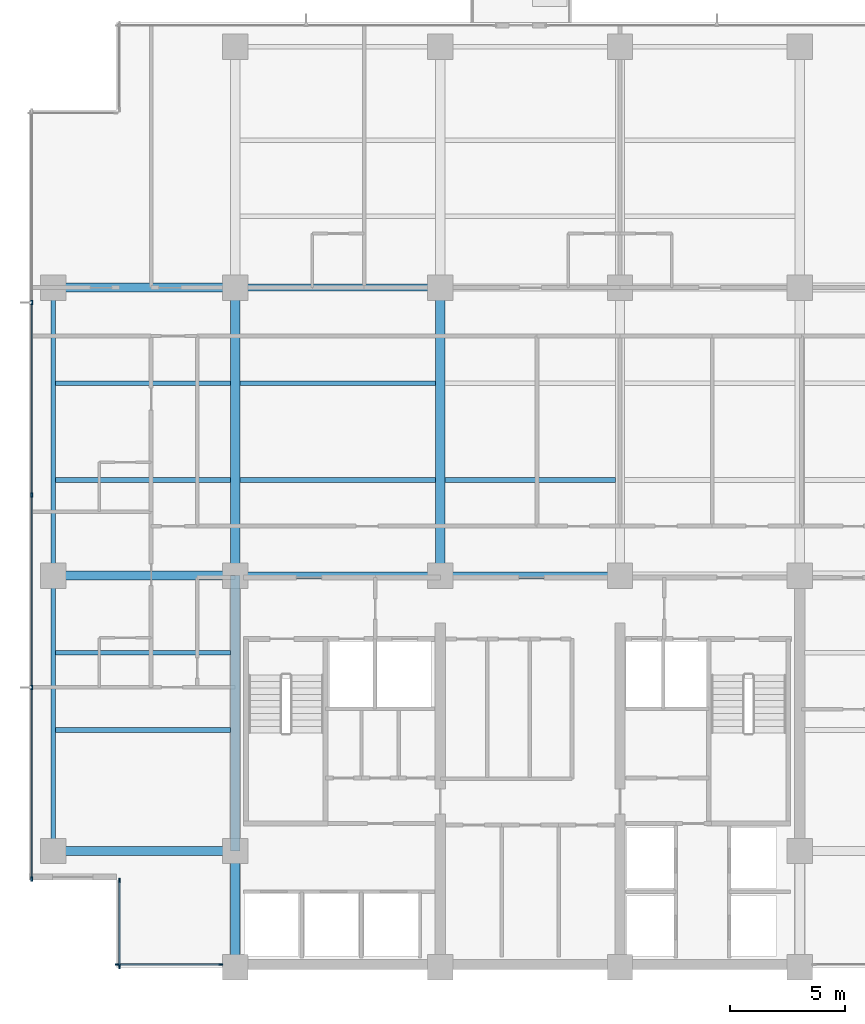
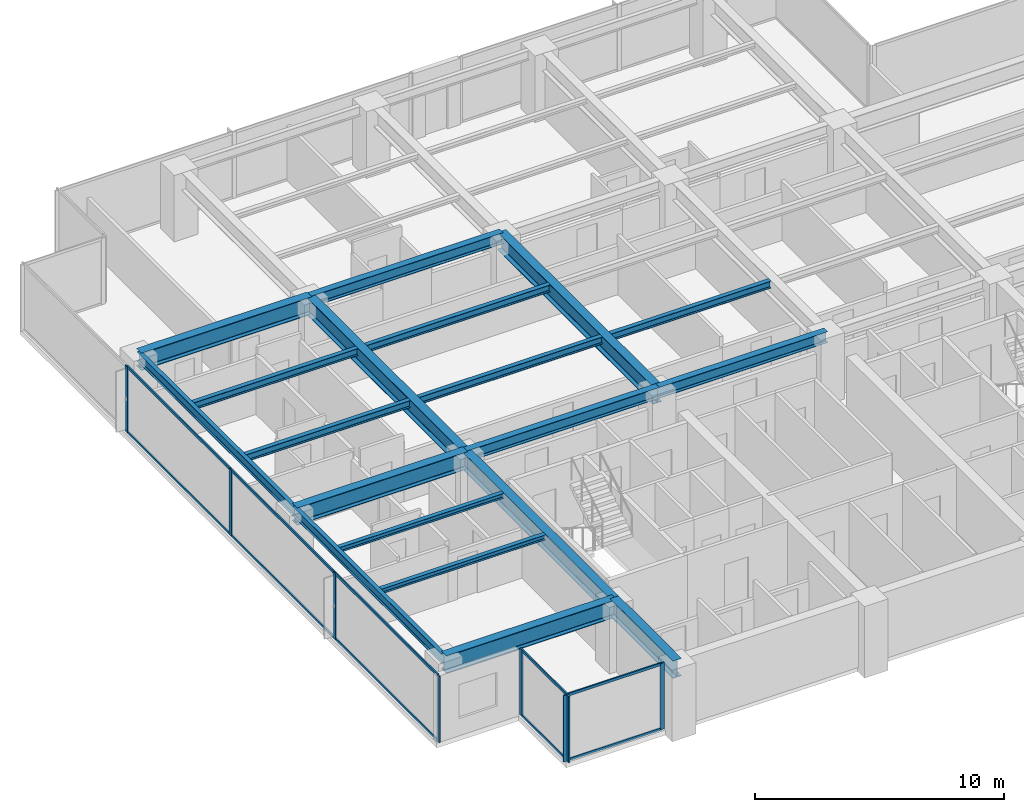
# One storey, part 2 of 15: 19 beams, 18 members, 3 elements without a shape of their own.
"""IFC4 building model written with IfcOpenShell, lengths in metres."""

from ifc_helpers import new_model, si_unit, direction, frame, origin, origin_2d, place, context, subcontext, project, spatial, rectangle, i_section, extrude, material, layer, layer_set, material_profile, profile_set, type_object, element, aggregate, save


model = new_model("IFC4")

# Units and contexts
model_context = context("Model", 3, precision=1e-05, world=origin(), true_north=direction((0.0, 1.0)))
body_context = subcontext(model_context, "Body", "Model", "MODEL_VIEW")
ifc_project = project(units=[si_unit("LENGTHUNIT", "METRE"), si_unit("AREAUNIT", "SQUARE_METRE"), si_unit("VOLUMEUNIT", "CUBIC_METRE"), si_unit("PLANEANGLEUNIT", "RADIAN"), si_unit("MASSUNIT", "GRAM", prefix="KILO")], contexts=[model_context])

# Site, building, storey
site_placement = place(None, origin())
site = spatial("IfcSite", under=ifc_project, at=site_placement, CompositionType="ELEMENT")
building_placement = place(site_placement, origin())
building = spatial("IfcBuilding", under=site, at=building_placement, Name="Qalmaran Belvedere Hotel", CompositionType="ELEMENT")
storey_placement = place(building_placement, frame((0.0, 0.0, 159.60009765625)))
storey = spatial("IfcBuildingStorey", under=building, at=storey_placement, Name="L40", CompositionType="ELEMENT", Elevation=159.60009765625)

# Beams
ifc_material_1 = material(Name="Steel S355JR", Category="steel")
ifc_material_profile_1 = material_profile(ifc_material_1, i_section(OverallWidth=0.201904296875, OverallDepth=0.2470703125, WebThickness=0.00732421875, FlangeThickness=0.010986328125, FilletRadius=0.011962890625, at=origin_2d()), Name="W250X49")
ifc_profile_set_1 = profile_set([ifc_material_profile_1], Name="Steel S355JR")
beam_type_1 = type_object("IfcBeamType", Name="BM-JST-W250X49", PredefinedType="JOIST", material=ifc_profile_set_1)
for number, where, z_axis, x_axis, name in (
    (1, (12.493896484375, 13.800048828125, 3.12646484375), (1.0, 0.0, 0.0), (0.0, 1.0, 0.0), "L40 West Wing Joist 038"),
    (2, (12.493896484375, 17.14990234375, 3.12646484375), (1.0, 0.0, 0.0), (0.0, 1.0, 0.0), "L40 West Wing Joist 040"),
):
    element("IfcBeam", number, at=place(storey_placement, frame(where, z_axis=z_axis, x_axis=x_axis)), inside=storey, type_object=beam_type_1, Name=name, PredefinedType="JOIST", context=body_context, shape_type="SweptSolid", body=[
        extrude(i_section(OverallWidth=0.201904296875, OverallDepth=0.2470703125, WebThickness=0.00732421875, FlangeThickness=0.010986328125, FilletRadius=0.011962890625, at=origin_2d()), origin(), (0.0, 0.0, 1.0), 7.608154296875),
    ])
ifc_material_profile_2 = material_profile(ifc_material_1, i_section(OverallWidth=0.39990234375, OverallDepth=0.85498046875, WebThickness=0.018310546875, FlangeThickness=0.029296875, FilletRadius=0.02392578125, at=origin_2d()), Name="W840X299")
ifc_profile_set_2 = profile_set([ifc_material_profile_2], Name="Steel S355JR")
beam_type_2 = type_object("IfcBeamType", Name="BM-PG3-W840X299", PredefinedType="USERDEFINED", material=ifc_profile_set_2)
for number, where, z_axis, x_axis, name in (
    (3, (20.300048828125, 20.5, 2.822509765625), (0.0, 1.0, 0.0), (-1.0, 0.0, 0.0), "L40 Mid-Plate N-S Girder 14"),
    (4, (29.199951171875, 20.5, 2.822509765625), (0.0, 1.0, 0.0), (-1.0, 0.0, 0.0), "L40 Mid-Plate N-S Girder 16"),
):
    element("IfcBeam", number, at=place(storey_placement, frame(where, z_axis=z_axis, x_axis=x_axis)), inside=storey, type_object=beam_type_2, Name=name, ObjectType="GIRDER", PredefinedType="USERDEFINED", context=body_context, shape_type="SweptSolid", body=[
        extrude(i_section(OverallWidth=0.39990234375, OverallDepth=0.85498046875, WebThickness=0.018310546875, FlangeThickness=0.029296875, FilletRadius=0.02392578125, at=origin_2d()), origin(), (0.0, 0.0, 1.0), 12.5),
    ])
for number, where, z_axis, x_axis, name in (
    (5, (12.39990234375, 8.550048828125, 2.822509765625), (1.0, 0.0, 0.0), (0.0, 1.0, 0.0), "L40 West Wing Girder 22"),
    (6, (12.39990234375, 20.5, 2.822509765625), (1.0, 0.0, 0.0), (0.0, 1.0, 0.0), "L40 West Wing Girder 23"),
    (7, (12.39990234375, 33.0, 2.822509765625), (1.0, 0.0, 0.0), (0.0, 1.0, 0.0), "L40 West Wing Girder 24"),
):
    element("IfcBeam", number, at=place(storey_placement, frame(where, z_axis=z_axis, x_axis=x_axis)), inside=storey, type_object=beam_type_2, Name=name, ObjectType="GIRDER", PredefinedType="USERDEFINED", context=body_context, shape_type="SweptSolid", body=[
        extrude(i_section(OverallWidth=0.39990234375, OverallDepth=0.85498046875, WebThickness=0.018310546875, FlangeThickness=0.029296875, FilletRadius=0.02392578125, at=origin_2d()), origin(), (0.0, 0.0, 1.0), 7.900146484375),
    ])
beam_1_placement = place(storey_placement, frame((20.300048828125, 3.5, 2.822509765625), z_axis=(0.0, 1.0, 0.0), x_axis=(-1.0, 0.0, 0.0)))
element("IfcBeam", 8, at=beam_1_placement, inside=storey, type_object=beam_type_2, Name="L40 West Core Edge Girder A", ObjectType="GIRDER", PredefinedType="USERDEFINED", context=body_context, shape_type="SweptSolid", body=[
    extrude(i_section(OverallWidth=0.39990234375, OverallDepth=0.85498046875, WebThickness=0.018310546875, FlangeThickness=0.029296875, FilletRadius=0.02392578125, at=origin_2d()), origin(), (0.0, 0.0, 1.0), 5.050048828125),
])
beam_2_placement = place(storey_placement, frame((20.300048828125, 8.550048828125, 2.822509765625), z_axis=(0.0, 1.0, 0.0), x_axis=(-1.0, 0.0, 0.0)))
element("IfcBeam", 9, at=beam_2_placement, inside=storey, type_object=beam_type_2, Name="L40 West Core Edge Girder B", ObjectType="GIRDER", PredefinedType="USERDEFINED", context=body_context, shape_type="SweptSolid", body=[
    extrude(i_section(OverallWidth=0.39990234375, OverallDepth=0.85498046875, WebThickness=0.018310546875, FlangeThickness=0.029296875, FilletRadius=0.02392578125, at=origin_2d()), origin(), (0.0, 0.0, 1.0), 11.949951171875),
])
ifc_material_profile_3 = material_profile(ifc_material_1, i_section(OverallWidth=0.205078125, OverallDepth=0.35400390625, WebThickness=0.009521484375, FlangeThickness=0.016845703125, FilletRadius=0.014892578125, at=origin_2d()), Name="W360X79")
ifc_profile_set_3 = profile_set([ifc_material_profile_3], Name="Steel S355JR")
beam_type_3 = type_object("IfcBeamType", Name="BM-SB3-W360X79", PredefinedType="BEAM", material=ifc_profile_set_3)
beam_3_placement = place(storey_placement, frame((12.493896484375, 24.64990234375, 3.072998046875), z_axis=(1.0, 0.0, 0.0), x_axis=(0.0, 1.0, 0.0)))
element("IfcBeam", 10, at=beam_3_placement, inside=storey, type_object=beam_type_3, Name="L40 West Secondary Beam 028", PredefinedType="BEAM", context=body_context, shape_type="SweptSolid", body=[
    extrude(i_section(OverallWidth=0.205078125, OverallDepth=0.35400390625, WebThickness=0.009521484375, FlangeThickness=0.016845703125, FilletRadius=0.014892578125, at=origin_2d()), origin(), (0.0, 0.0, 1.0), 7.608154296875),
])
beam_4_placement = place(storey_placement, frame((20.498046875, 24.64990234375, 3.072998046875), z_axis=(1.0, 0.0, 0.0), x_axis=(0.0, 1.0, 0.0)))
element("IfcBeam", 11, at=beam_4_placement, inside=storey, type_object=beam_type_3, Name="L40 Secondary Floor Beam 029", PredefinedType="BEAM", context=body_context, shape_type="SweptSolid", body=[
    extrude(i_section(OverallWidth=0.205078125, OverallDepth=0.35400390625, WebThickness=0.009521484375, FlangeThickness=0.016845703125, FilletRadius=0.014892578125, at=origin_2d()), origin(), (0.0, 0.0, 1.0), 8.50390625),
])
beam_5_placement = place(storey_placement, frame((29.39794921875, 24.64990234375, 3.072998046875), z_axis=(1.0, 0.0, 0.0), x_axis=(0.0, 1.0, 0.0)))
element("IfcBeam", 12, at=beam_5_placement, inside=storey, type_object=beam_type_3, Name="L40 Secondary Floor Beam 030", PredefinedType="BEAM", context=body_context, shape_type="SweptSolid", body=[
    extrude(i_section(OverallWidth=0.205078125, OverallDepth=0.35400390625, WebThickness=0.009521484375, FlangeThickness=0.016845703125, FilletRadius=0.014892578125, at=origin_2d()), origin(), (0.0, 0.0, 1.0), 7.404052734375),
])
beam_6_placement = place(storey_placement, frame((12.493896484375, 28.85009765625, 3.072998046875), z_axis=(1.0, 0.0, 0.0), x_axis=(0.0, 1.0, 0.0)))
element("IfcBeam", 13, at=beam_6_placement, inside=storey, type_object=beam_type_3, Name="L40 West Secondary Beam 033", PredefinedType="BEAM", context=body_context, shape_type="SweptSolid", body=[
    extrude(i_section(OverallWidth=0.205078125, OverallDepth=0.35400390625, WebThickness=0.009521484375, FlangeThickness=0.016845703125, FilletRadius=0.014892578125, at=origin_2d()), origin(), (0.0, 0.0, 1.0), 7.608154296875),
])
beam_7_placement = place(storey_placement, frame((20.498046875, 28.85009765625, 3.072998046875), z_axis=(1.0, 0.0, 0.0), x_axis=(0.0, 1.0, 0.0)))
element("IfcBeam", 14, at=beam_7_placement, inside=storey, type_object=beam_type_3, Name="L40 Secondary Floor Beam 034", PredefinedType="BEAM", context=body_context, shape_type="SweptSolid", body=[
    extrude(i_section(OverallWidth=0.205078125, OverallDepth=0.35400390625, WebThickness=0.009521484375, FlangeThickness=0.016845703125, FilletRadius=0.014892578125, at=origin_2d()), origin(), (0.0, 0.0, 1.0), 8.50390625),
])
ifc_material_profile_4 = material_profile(ifc_material_1, i_section(OverallWidth=0.19189453125, OverallDepth=0.462890625, WebThickness=0.010498046875, FlangeThickness=0.017578125, FilletRadius=0.01611328125, at=origin_2d()), Name="W460X89")
ifc_profile_set_4 = profile_set([ifc_material_profile_4], Name="Steel S355JR")
beam_type_4 = type_object("IfcBeamType", Name="BM-SP2-W460X89", PredefinedType="SPANDREL", material=ifc_profile_set_4)
beam_8_placement = place(storey_placement, frame((12.39990234375, 8.550048828125, 3.018310546875), z_axis=(0.0, 1.0, 0.0), x_axis=(-1.0, 0.0, 0.0)))
element("IfcBeam", 15, at=beam_8_placement, inside=storey, type_object=beam_type_4, Name="L40 Perimeter Spandrel 01", PredefinedType="SPANDREL", context=body_context, shape_type="SweptSolid", body=[
    extrude(i_section(OverallWidth=0.19189453125, OverallDepth=0.462890625, WebThickness=0.010498046875, FlangeThickness=0.017578125, FilletRadius=0.01611328125, at=origin_2d()), origin(), (0.0, 0.0, 1.0), 11.949951171875),
])
beam_9_placement = place(storey_placement, frame((12.39990234375, 20.5, 3.018310546875), z_axis=(0.0, 1.0, 0.0), x_axis=(-1.0, 0.0, 0.0)))
element("IfcBeam", 16, at=beam_9_placement, inside=storey, type_object=beam_type_4, Name="L40 Perimeter Spandrel 02", PredefinedType="SPANDREL", context=body_context, shape_type="SweptSolid", body=[
    extrude(i_section(OverallWidth=0.19189453125, OverallDepth=0.462890625, WebThickness=0.010498046875, FlangeThickness=0.017578125, FilletRadius=0.01611328125, at=origin_2d()), origin(), (0.0, 0.0, 1.0), 12.5),
])
ifc_material_profile_5 = material_profile(ifc_material_1, i_section(OverallWidth=0.31201171875, OverallDepth=0.54296875, WebThickness=0.0126953125, FlangeThickness=0.020263671875, FilletRadius=0.01806640625, at=origin_2d()), Name="W530X150")
ifc_profile_set_5 = profile_set([ifc_material_profile_5], Name="Steel S355JR")
beam_type_5 = type_object("IfcBeamType", Name="BM-Z3-W530X150", PredefinedType="USERDEFINED", material=ifc_profile_set_5)
beam_10_placement = place(storey_placement, frame((20.300048828125, 20.5, 2.978515625), z_axis=(1.0, 0.0, 0.0), x_axis=(0.0, 1.0, 0.0)))
element("IfcBeam", 17, at=beam_10_placement, inside=storey, type_object=beam_type_5, Name="L40 Interior E-W Girder 08", ObjectType="GIRDER", PredefinedType="USERDEFINED", context=body_context, shape_type="SweptSolid", body=[
    extrude(i_section(OverallWidth=0.31201171875, OverallDepth=0.54296875, WebThickness=0.0126953125, FlangeThickness=0.020263671875, FilletRadius=0.01806640625, at=origin_2d()), origin(), (0.0, 0.0, 1.0), 8.89990234375),
])
beam_11_placement = place(storey_placement, frame((29.199951171875, 20.5, 2.978515625), z_axis=(1.0, 0.0, 0.0), x_axis=(0.0, 1.0, 0.0)))
element("IfcBeam", 18, at=beam_11_placement, inside=storey, type_object=beam_type_5, Name="L40 Interior E-W Girder 09", ObjectType="GIRDER", PredefinedType="USERDEFINED", context=body_context, shape_type="SweptSolid", body=[
    extrude(i_section(OverallWidth=0.31201171875, OverallDepth=0.54296875, WebThickness=0.0126953125, FlangeThickness=0.020263671875, FilletRadius=0.01806640625, at=origin_2d()), origin(), (0.0, 0.0, 1.0), 7.800048828125),
])
beam_12_placement = place(storey_placement, frame((20.300048828125, 33.0, 2.978515625), z_axis=(1.0, 0.0, 0.0), x_axis=(0.0, 1.0, 0.0)))
element("IfcBeam", 19, at=beam_12_placement, inside=storey, type_object=beam_type_5, Name="L40 Interior E-W Girder 11", ObjectType="GIRDER", PredefinedType="USERDEFINED", context=body_context, shape_type="SweptSolid", body=[
    extrude(i_section(OverallWidth=0.31201171875, OverallDepth=0.54296875, WebThickness=0.0126953125, FlangeThickness=0.020263671875, FilletRadius=0.01806640625, at=origin_2d()), origin(), (0.0, 0.0, 1.0), 8.89990234375),
])

# Curtain wall, members
ifc_material_2 = material(Name="Anodised Bronze Aluminium", Category="aluminium")
ifc_layer = layer(ifc_material_2, 0.195068359375, Name="Anodised Bronze Aluminium")
ifc_layer_set = layer_set([ifc_layer], Name="Anodised Bronze Aluminium")
curtain_wall_type = type_object("IfcCurtainWallType", Name="CW4-TOWER-HIGHMID", PredefinedType="NOTDEFINED", material=ifc_layer_set)
curtain_wall_1_placement = place(storey_placement, origin())
curtain_wall_1 = element("IfcCurtainWall", 20, at=curtain_wall_1_placement, inside=storey, type_object=curtain_wall_type, Name="L40 Curtain Wall CW4", PredefinedType="NOTDEFINED")
ifc_material_profile_6 = material_profile(ifc_material_2, rectangle(XDim=0.070068359375, YDim=0.18994140625, at=origin_2d()), Name="CWM70X190")
ifc_profile_set_6 = profile_set([ifc_material_profile_6], Name="Anodised Bronze Aluminium")
member_type_1 = type_object("IfcMemberType", Name="CWM-70X190", PredefinedType="MULLION", material=ifc_profile_set_6)
member_1_placement = place(storey_placement, frame((15.18505859375, 3.6201171875, 0.0), z_axis=(0.0, 0.0, 1.0), x_axis=(0.0, 1.0, 0.0)))
member_1 = element("IfcMember", 21, at=member_1_placement, type_object=member_type_1, Name="CW4 mullion 1", PredefinedType="MULLION", context=body_context, shape_type="SweptSolid", body=[
    extrude(rectangle(XDim=0.070068359375, YDim=0.18994140625, at=origin_2d()), origin(), (0.0, 0.0, 1.0), 3.25),
])
member_2_placement = place(storey_placement, frame((19.675048828125, 3.6201171875, 0.0), z_axis=(0.0, 0.0, 1.0), x_axis=(0.0, 1.0, 0.0)))
member_2 = element("IfcMember", 22, at=member_2_placement, type_object=member_type_1, Name="CW4 mullion 2", PredefinedType="MULLION", context=body_context, shape_type="SweptSolid", body=[
    extrude(rectangle(XDim=0.070068359375, YDim=0.18994140625, at=origin_2d()), origin(), (0.0, 0.0, 1.0), 3.25),
])

curtain_wall_2_placement = place(storey_placement, origin())
curtain_wall_2 = element("IfcCurtainWall", 23, at=curtain_wall_2_placement, inside=storey, type_object=curtain_wall_type, Name="L40 Curtain Wall CW4", PredefinedType="NOTDEFINED")
member_3_placement = place(storey_placement, frame((11.469970703125, 32.35009765625, 0.0), z_axis=(0.0, 0.0, 1.0), x_axis=(1.0, 0.0, 0.0)))
member_3 = element("IfcMember", 24, at=member_3_placement, type_object=member_type_1, Name="CW4 mullion 2", PredefinedType="MULLION", context=body_context, shape_type="SweptSolid", body=[
    extrude(rectangle(XDim=0.070068359375, YDim=0.18994140625, at=origin_2d()), origin(), (0.0, 0.0, 1.0), 3.25),
])
member_4_placement = place(storey_placement, frame((11.469970703125, 24.0, 0.0), z_axis=(0.0, 0.0, 1.0), x_axis=(1.0, 0.0, 0.0)))
member_4 = element("IfcMember", 25, at=member_4_placement, type_object=member_type_1, Name="CW4 mullion 3", PredefinedType="MULLION", context=body_context, shape_type="SweptSolid", body=[
    extrude(rectangle(XDim=0.070068359375, YDim=0.18994140625, at=origin_2d()), origin(), (0.0, 0.0, 1.0), 3.25),
])
member_5_placement = place(storey_placement, frame((11.469970703125, 15.64990234375, 0.0), z_axis=(0.0, 0.0, 1.0), x_axis=(1.0, 0.0, 0.0)))
member_5 = element("IfcMember", 26, at=member_5_placement, type_object=member_type_1, Name="CW4 mullion 4", PredefinedType="MULLION", context=body_context, shape_type="SweptSolid", body=[
    extrude(rectangle(XDim=0.070068359375, YDim=0.18994140625, at=origin_2d()), origin(), (0.0, 0.0, 1.0), 3.25),
])
member_6_placement = place(storey_placement, frame((11.469970703125, 7.3349609375, 0.0), z_axis=(0.0, 0.0, 1.0), x_axis=(1.0, 0.0, 0.0)))
member_6 = element("IfcMember", 27, at=member_6_placement, type_object=member_type_1, Name="CW4 mullion 5", PredefinedType="MULLION", context=body_context, shape_type="SweptSolid", body=[
    extrude(rectangle(XDim=0.070068359375, YDim=0.18994140625, at=origin_2d()), origin(), (0.0, 0.0, 1.0), 3.25),
])

curtain_wall_3_placement = place(storey_placement, origin())
curtain_wall_3 = element("IfcCurtainWall", 28, at=curtain_wall_3_placement, inside=storey, type_object=curtain_wall_type, Name="L40 Curtain Wall CW4", PredefinedType="NOTDEFINED")
member_7_placement = place(storey_placement, frame((15.27001953125, 7.264892578125, 0.0), z_axis=(0.0, 0.0, 1.0), x_axis=(1.0, 0.0, 0.0)))
member_7 = element("IfcMember", 29, at=member_7_placement, type_object=member_type_1, Name="CW4 mullion 1", PredefinedType="MULLION", context=body_context, shape_type="SweptSolid", body=[
    extrude(rectangle(XDim=0.070068359375, YDim=0.18994140625, at=origin_2d()), origin(), (0.0, 0.0, 1.0), 3.25),
])
member_8_placement = place(storey_placement, frame((15.27001953125, 3.534912109375, 0.0), z_axis=(0.0, 0.0, 1.0), x_axis=(1.0, 0.0, 0.0)))
member_8 = element("IfcMember", 30, at=member_8_placement, type_object=member_type_1, Name="CW4 mullion 2", PredefinedType="MULLION", context=body_context, shape_type="SweptSolid", body=[
    extrude(rectangle(XDim=0.070068359375, YDim=0.18994140625, at=origin_2d()), origin(), (0.0, 0.0, 1.0), 3.25),
])

# Member
ifc_material_profile_7 = material_profile(ifc_material_2, rectangle(XDim=0.06494140625, YDim=0.1298828125, at=origin_2d()), Name="CWT65X130")
ifc_profile_set_7 = profile_set([ifc_material_profile_7], Name="Anodised Bronze Aluminium")
member_type_2 = type_object("IfcMemberType", Name="CWT-65X130", PredefinedType="USERDEFINED", material=ifc_profile_set_7)
member_9_placement = place(storey_placement, frame((15.219970703125, 3.6201171875, 0.032470703125), z_axis=(1.0, 0.0, 0.0), x_axis=(0.0, 1.0, 0.0)))
member_9 = element("IfcMember", 31, at=member_9_placement, type_object=member_type_2, Name="CW4 transom 1.1", ObjectType="TRANSOM", PredefinedType="USERDEFINED", context=body_context, shape_type="SweptSolid", body=[
    extrude(rectangle(XDim=0.06494140625, YDim=0.1298828125, at=origin_2d()), origin(), (0.0, 0.0, 1.0), 4.419921875),
])

member_10_placement = place(storey_placement, frame((15.219970703125, 3.6201171875, 3.21728515625), z_axis=(1.0, 0.0, 0.0), x_axis=(0.0, 1.0, 0.0)))
member_10 = element("IfcMember", 32, at=member_10_placement, type_object=member_type_2, Name="CW4 transom 1.2", ObjectType="TRANSOM", PredefinedType="USERDEFINED", context=body_context, shape_type="SweptSolid", body=[
    extrude(rectangle(XDim=0.06494140625, YDim=0.1298828125, at=origin_2d()), origin(), (0.0, 0.0, 1.0), 4.419921875),
])

aggregate(curtain_wall_1, [member_1, member_2, member_9, member_10])

member_11_placement = place(storey_placement, frame((11.469970703125, 32.31494140625, 0.032470703125), z_axis=(0.0, -1.0, 0.0), x_axis=(1.0, 0.0, 0.0)))
member_11 = element("IfcMember", 33, at=member_11_placement, type_object=member_type_2, Name="CW4 transom 2.1", ObjectType="TRANSOM", PredefinedType="USERDEFINED", context=body_context, shape_type="SweptSolid", body=[
    extrude(rectangle(XDim=0.06494140625, YDim=0.1298828125, at=origin_2d()), origin(), (0.0, 0.0, 1.0), 8.280029296875),
])

member_12_placement = place(storey_placement, frame((11.469970703125, 32.31494140625, 3.21728515625), z_axis=(0.0, -1.0, 0.0), x_axis=(1.0, 0.0, 0.0)))
member_12 = element("IfcMember", 34, at=member_12_placement, type_object=member_type_2, Name="CW4 transom 2.2", ObjectType="TRANSOM", PredefinedType="USERDEFINED", context=body_context, shape_type="SweptSolid", body=[
    extrude(rectangle(XDim=0.06494140625, YDim=0.1298828125, at=origin_2d()), origin(), (0.0, 0.0, 1.0), 8.280029296875),
])

member_13_placement = place(storey_placement, frame((11.469970703125, 23.965087890625, 0.032470703125), z_axis=(0.0, -1.0, 0.0), x_axis=(1.0, 0.0, 0.0)))
member_13 = element("IfcMember", 35, at=member_13_placement, type_object=member_type_2, Name="CW4 transom 3.1", ObjectType="TRANSOM", PredefinedType="USERDEFINED", context=body_context, shape_type="SweptSolid", body=[
    extrude(rectangle(XDim=0.06494140625, YDim=0.1298828125, at=origin_2d()), origin(), (0.0, 0.0, 1.0), 8.280029296875),
])

member_14_placement = place(storey_placement, frame((11.469970703125, 23.965087890625, 3.21728515625), z_axis=(0.0, -1.0, 0.0), x_axis=(1.0, 0.0, 0.0)))
member_14 = element("IfcMember", 36, at=member_14_placement, type_object=member_type_2, Name="CW4 transom 3.2", ObjectType="TRANSOM", PredefinedType="USERDEFINED", context=body_context, shape_type="SweptSolid", body=[
    extrude(rectangle(XDim=0.06494140625, YDim=0.1298828125, at=origin_2d()), origin(), (0.0, 0.0, 1.0), 8.280029296875),
])

member_15_placement = place(storey_placement, frame((11.469970703125, 15.614990234375, 0.032470703125), z_axis=(0.0, -1.0, 0.0), x_axis=(1.0, 0.0, 0.0)))
member_15 = element("IfcMember", 37, at=member_15_placement, type_object=member_type_2, Name="CW4 transom 4.1", ObjectType="TRANSOM", PredefinedType="USERDEFINED", context=body_context, shape_type="SweptSolid", body=[
    extrude(rectangle(XDim=0.06494140625, YDim=0.1298828125, at=origin_2d()), origin(), (0.0, 0.0, 1.0), 8.244873046875),
])

member_16_placement = place(storey_placement, frame((11.469970703125, 15.614990234375, 3.21728515625), z_axis=(0.0, -1.0, 0.0), x_axis=(1.0, 0.0, 0.0)))
member_16 = element("IfcMember", 38, at=member_16_placement, type_object=member_type_2, Name="CW4 transom 4.2", ObjectType="TRANSOM", PredefinedType="USERDEFINED", context=body_context, shape_type="SweptSolid", body=[
    extrude(rectangle(XDim=0.06494140625, YDim=0.1298828125, at=origin_2d()), origin(), (0.0, 0.0, 1.0), 8.244873046875),
])

aggregate(curtain_wall_2, [member_3, member_4, member_5, member_6, member_11, member_12, member_13, member_14, member_15, member_16])

member_17_placement = place(storey_placement, frame((15.27001953125, 7.22998046875, 0.032470703125), z_axis=(0.0, -1.0, 0.0), x_axis=(1.0, 0.0, 0.0)))
member_17 = element("IfcMember", 39, at=member_17_placement, type_object=member_type_2, Name="CW4 transom 1.1", ObjectType="TRANSOM", PredefinedType="USERDEFINED", context=body_context, shape_type="SweptSolid", body=[
    extrude(rectangle(XDim=0.06494140625, YDim=0.1298828125, at=origin_2d()), origin(), (0.0, 0.0, 1.0), 3.659912109375),
])

member_18_placement = place(storey_placement, frame((15.27001953125, 7.22998046875, 3.21728515625), z_axis=(0.0, -1.0, 0.0), x_axis=(1.0, 0.0, 0.0)))
member_18 = element("IfcMember", 40, at=member_18_placement, type_object=member_type_2, Name="CW4 transom 1.2", ObjectType="TRANSOM", PredefinedType="USERDEFINED", context=body_context, shape_type="SweptSolid", body=[
    extrude(rectangle(XDim=0.06494140625, YDim=0.1298828125, at=origin_2d()), origin(), (0.0, 0.0, 1.0), 3.659912109375),
])

aggregate(curtain_wall_3, [member_7, member_8, member_17, member_18])

save(model, "model.ifc")
